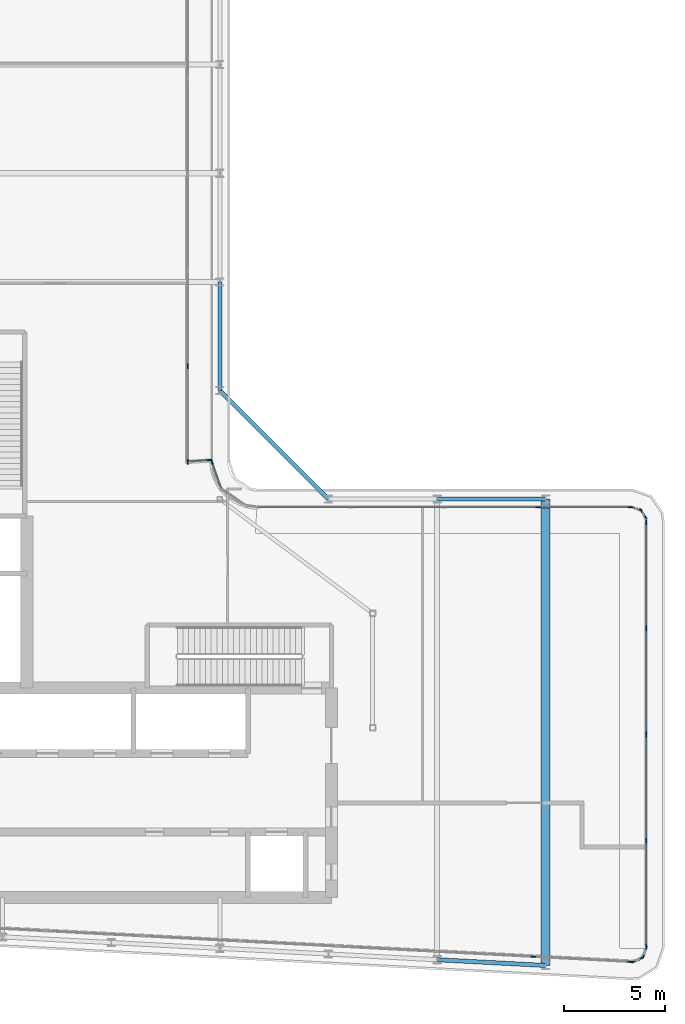
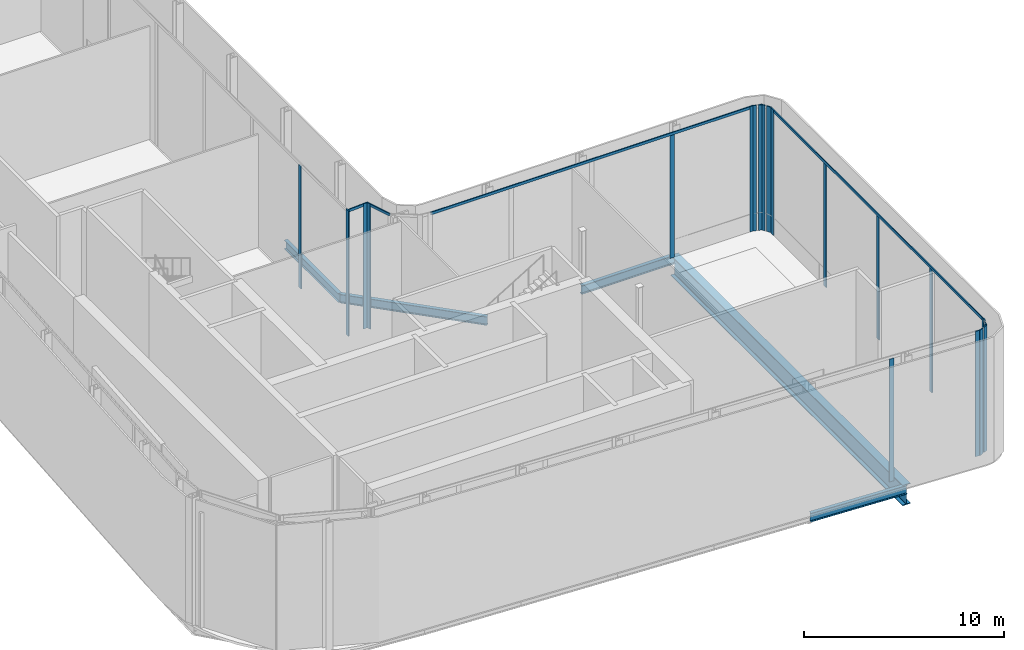
# One storey, part 8 of 28: 25 members, 5 beams, 10 elements without a shape of their own.
"""IFC4 building model written with IfcOpenShell, lengths in metres."""

from ifc_helpers import new_model, si_unit, direction, frame, origin, origin_2d, place, context, subcontext, project, spatial, rectangle, i_section, extrude, material, layer, layer_set, material_profile, profile_set, type_object, element, aggregate, save


model = new_model("IFC4")

# Units and contexts
model_context = context("Model", 3, precision=1e-05, world=origin(), true_north=direction((0.0, 1.0)))
body_context = subcontext(model_context, "Body", "Model", "MODEL_VIEW")
ifc_project = project(units=[si_unit("LENGTHUNIT", "METRE"), si_unit("AREAUNIT", "SQUARE_METRE"), si_unit("VOLUMEUNIT", "CUBIC_METRE"), si_unit("PLANEANGLEUNIT", "RADIAN"), si_unit("MASSUNIT", "GRAM", prefix="KILO")], contexts=[model_context])

# Site, building, storey
site_placement = place(None, origin())
site = spatial("IfcSite", under=ifc_project, at=site_placement, CompositionType="ELEMENT")
building_placement = place(site_placement, origin())
building = spatial("IfcBuilding", under=site, at=building_placement, Name="Kheshtan School and Residences Tower", CompositionType="ELEMENT")
storey_placement = place(building_placement, frame((0.0, 0.0, 325.39990234375)))
storey = spatial("IfcBuildingStorey", under=building, at=storey_placement, Name="L77", CompositionType="ELEMENT", Elevation=325.39990234375)

# Beams
ifc_material_1 = material(Name="Steel ASTM A992 Grade 50", Category="steel")
ifc_material_profile_1 = material_profile(ifc_material_1, i_section(OverallWidth=0.208984375, OverallDepth=0.532958984375, WebThickness=0.01025390625, FlangeThickness=0.015625, FilletRadius=0.013916015625, at=origin_2d()), Name="W530x92")
ifc_profile_set_1 = profile_set([ifc_material_profile_1], Name="Steel ASTM A992 Grade 50")
beam_type_1 = type_object("IfcBeamType", Name="Beam SP3 W530x92 ASTM A992 Grade 50", PredefinedType="BEAM", material=ifc_profile_set_1)
beam_1_placement = place(storey_placement, frame((47.60009765625, 56.39990234375, -0.41650390625), z_axis=(0.0, -1.0, 0.0), x_axis=(1.0, 0.0, 0.0)))
element("IfcBeam", 1, at=beam_1_placement, inside=storey, type_object=beam_type_1, Name="Spandrel beam C081-C079", PredefinedType="BEAM", context=body_context, shape_type="SweptSolid", body=[
    extrude(i_section(OverallWidth=0.208984375, OverallDepth=0.532958984375, WebThickness=0.01025390625, FlangeThickness=0.015625, FilletRadius=0.013916015625, at=origin_2d()), origin(), (0.0, 0.0, 1.0), 5.39990234375),
])
beam_2_placement = place(storey_placement, frame((47.60009765625, 51.0, -0.41650390625), z_axis=(0.707106781187, -0.707106781187, 0.0), x_axis=(0.707106781187, 0.707106781187, 0.0)))
element("IfcBeam", 2, at=beam_2_placement, inside=storey, type_object=beam_type_1, Name="Spandrel beam C079-C061", PredefinedType="BEAM", context=body_context, shape_type="SweptSolid", body=[
    extrude(i_section(OverallWidth=0.208984375, OverallDepth=0.532958984375, WebThickness=0.01025390625, FlangeThickness=0.015625, FilletRadius=0.013916015625, at=origin_2d()), origin(), (0.0, 0.0, 1.0), 7.63671875),
])
beam_3_placement = place(storey_placement, frame((58.39990234375, 45.60009765625, -0.41650390625), z_axis=(1.0, 0.0, 0.0), x_axis=(0.0, 1.0, 0.0)))
element("IfcBeam", 3, at=beam_3_placement, inside=storey, type_object=beam_type_1, Name="Spandrel beam C062-C063", PredefinedType="BEAM", context=body_context, shape_type="SweptSolid", body=[
    extrude(i_section(OverallWidth=0.208984375, OverallDepth=0.532958984375, WebThickness=0.01025390625, FlangeThickness=0.015625, FilletRadius=0.013916015625, at=origin_2d()), origin(), (0.0, 0.0, 1.0), 5.400146484375),
])
beam_4_placement = place(storey_placement, frame((63.800048828125, 22.410888671875, -0.41650390625), z_axis=(-0.998618203458, 0.052551724256, 0.0), x_axis=(-0.052551724256, -0.998618203458, 0.0)))
element("IfcBeam", 4, at=beam_4_placement, inside=storey, type_object=beam_type_1, Name="Spandrel beam C016-C018", PredefinedType="BEAM", context=body_context, shape_type="SweptSolid", body=[
    extrude(i_section(OverallWidth=0.208984375, OverallDepth=0.532958984375, WebThickness=0.01025390625, FlangeThickness=0.015625, FilletRadius=0.013916015625, at=origin_2d()), origin(), (0.0, 0.0, 1.0), 5.40771484375),
])

# Curtain wall, members
ifc_material_2 = material(Name="Clear low-e glass in thermally broken aluminium frame", Category="aluminium")
ifc_layer_1 = layer(ifc_material_2, 0.25)
ifc_layer_set_1 = layer_set([ifc_layer_1], Name="Curtain wall CW-G")
curtain_wall_type_1 = type_object("IfcCurtainWallType", Name="Curtain wall CW-G", PredefinedType="NOTDEFINED", material=ifc_layer_set_1)
curtain_wall_1_placement = place(storey_placement, origin())
curtain_wall_1 = element("IfcCurtainWall", 5, at=curtain_wall_1_placement, inside=storey, type_object=curtain_wall_type_1, Name="Curtain wall CWG15a", PredefinedType="NOTDEFINED")
ifc_material_3 = material(Name="Thermally broken aluminium, dark bronze anodised", Category="aluminium")
ifc_material_profile_2 = material_profile(ifc_material_3, rectangle(XDim=0.06005859375, YDim=0.25, at=origin_2d()), Name="CW-G mullion 60x250")
ifc_profile_set_2 = profile_set([ifc_material_profile_2], Name="Thermally broken aluminium, dark bronze anodised")
member_type_1 = type_object("IfcMemberType", Name="CW-G mullion 60x250", PredefinedType="MULLION", material=ifc_profile_set_2)
member_1_placement = place(storey_placement, frame((46.0, 52.2041015625, 0.0), z_axis=(0.0, 0.0, 1.0), x_axis=(1.0, 0.0, 0.0)))
member_1 = element("IfcMember", 6, at=member_1_placement, type_object=member_type_1, Name="CWG15a mullion 5", PredefinedType="MULLION", context=body_context, shape_type="SweptSolid", body=[
    extrude(rectangle(XDim=0.06005859375, YDim=0.25, at=origin_2d()), origin(), (0.0, 0.0, 1.0), 7.489990234375),
])
member_2_placement = place(storey_placement, frame((46.0, 47.4599609375, 0.0), z_axis=(0.0, 0.0, 1.0), x_axis=(1.0, 0.0, 0.0)))
member_2 = element("IfcMember", 7, at=member_2_placement, type_object=member_type_1, Name="CWG15a mullion 6", PredefinedType="MULLION", context=body_context, shape_type="SweptSolid", body=[
    extrude(rectangle(XDim=0.06005859375, YDim=0.25, at=origin_2d()), origin(), (0.0, 0.0, 1.0), 7.650146484375),
])
aggregate(curtain_wall_1, [member_1, member_2])

ifc_layer_2 = layer(ifc_material_2, 0.25)
ifc_layer_set_2 = layer_set([ifc_layer_2], Name="Curtain wall CW-K")
curtain_wall_type_2 = type_object("IfcCurtainWallType", Name="Curtain wall CW-K", PredefinedType="NOTDEFINED", material=ifc_layer_set_2)
curtain_wall_2_placement = place(storey_placement, origin())
curtain_wall_2 = element("IfcCurtainWall", 8, at=curtain_wall_2_placement, inside=storey, type_object=curtain_wall_type_2, Name="Curtain wall CWK1b", PredefinedType="NOTDEFINED")
ifc_material_profile_3 = material_profile(ifc_material_3, rectangle(XDim=0.06005859375, YDim=0.25, at=origin_2d()), Name="CW-K mullion 60x250")
ifc_profile_set_3 = profile_set([ifc_material_profile_3], Name="Thermally broken aluminium, dark bronze anodised")
member_type_2 = type_object("IfcMemberType", Name="CW-K mullion 60x250", PredefinedType="MULLION", material=ifc_profile_set_3)
member_3_placement = place(storey_placement, frame((68.525390625, 22.74951171875, 0.0), z_axis=(0.0, 0.0, 1.0), x_axis=(0.40869590806, -0.912670616781, 0.0)))
member_3 = element("IfcMember", 9, at=member_3_placement, type_object=member_type_2, Name="CWK1b mullion 1", PredefinedType="MULLION", context=body_context, shape_type="SweptSolid", body=[
    extrude(rectangle(XDim=0.06005859375, YDim=0.25, at=origin_2d()), origin(), (0.0, 0.0, 1.0), 7.650146484375),
])
member_4_placement = place(storey_placement, frame((68.21630859375, 22.611083984375, 0.0), z_axis=(0.0, 0.0, 1.0), x_axis=(0.40869590806, -0.912670616781, 0.0)))
member_4 = element("IfcMember", 10, at=member_4_placement, type_object=member_type_2, Name="CWK1b mullion 2", PredefinedType="MULLION", context=body_context, shape_type="SweptSolid", body=[
    extrude(rectangle(XDim=0.06005859375, YDim=0.25, at=origin_2d()), origin(), (0.0, 0.0, 1.0), 7.650146484375),
])
aggregate(curtain_wall_2, [member_3, member_4])

curtain_wall_3_placement = place(storey_placement, origin())
curtain_wall_3 = element("IfcCurtainWall", 11, at=curtain_wall_3_placement, inside=storey, type_object=curtain_wall_type_2, Name="Curtain wall CWK2b", PredefinedType="NOTDEFINED")
member_5_placement = place(storey_placement, frame((68.002685546875, 22.589599609375, 0.0), z_axis=(0.0, 0.0, 1.0), x_axis=(-0.052588147164, -0.998616286057, 0.0)))
member_5 = element("IfcMember", 12, at=member_5_placement, type_object=member_type_2, Name="CWK2b mullion 1", PredefinedType="MULLION", context=body_context, shape_type="SweptSolid", body=[
    extrude(rectangle(XDim=0.06005859375, YDim=0.25, at=origin_2d()), origin(), (0.0, 0.0, 1.0), 7.650146484375),
])
member_6_placement = place(storey_placement, frame((63.1796875, 22.84375, 0.0), z_axis=(0.0, 0.0, 1.0), x_axis=(-0.052588147164, -0.998616286057, 0.0)))
member_6 = element("IfcMember", 13, at=member_6_placement, type_object=member_type_2, Name="CWK2b mullion 2", PredefinedType="MULLION", context=body_context, shape_type="SweptSolid", body=[
    extrude(rectangle(XDim=0.06005859375, YDim=0.25, at=origin_2d()), origin(), (0.0, 0.0, 1.0), 7.489990234375),
])
aggregate(curtain_wall_3, [member_5, member_6])

# Curtain wall, member
curtain_wall_4_placement = place(storey_placement, origin())
curtain_wall_4 = element("IfcCurtainWall", 14, at=curtain_wall_4_placement, inside=storey, type_object=curtain_wall_type_2, Name="Curtain wall CWK16b", PredefinedType="NOTDEFINED")
member_7_placement = place(storey_placement, frame((47.0654296875, 47.537841796875, 0.0), z_axis=(0.0, 0.0, 1.0), x_axis=(-0.065855059944, 0.997829199352, 0.0)))
member_7 = element("IfcMember", 15, at=member_7_placement, type_object=member_type_2, Name="CWK16b mullion 2", PredefinedType="MULLION", context=body_context, shape_type="SweptSolid", body=[
    extrude(rectangle(XDim=0.06005859375, YDim=0.25, at=origin_2d()), origin(), (0.0, 0.0, 1.0), 7.650146484375),
])

curtain_wall_5_placement = place(storey_placement, origin())
curtain_wall_5 = element("IfcCurtainWall", 16, at=curtain_wall_5_placement, inside=storey, type_object=curtain_wall_type_2, Name="Curtain wall CWK17b", PredefinedType="NOTDEFINED")
member_8_placement = place(storey_placement, frame((47.206298828125, 47.44482421875, 0.0), z_axis=(0.0, 0.0, 1.0), x_axis=(0.943511360053, 0.331340177841, 0.0)))
member_8 = element("IfcMember", 17, at=member_8_placement, type_object=member_type_2, Name="CWK17b mullion 1", PredefinedType="MULLION", context=body_context, shape_type="SweptSolid", body=[
    extrude(rectangle(XDim=0.06005859375, YDim=0.25, at=origin_2d()), origin(), (0.0, 0.0, 1.0), 7.650146484375),
])

# Curtain wall, members
curtain_wall_6_placement = place(storey_placement, origin())
curtain_wall_6 = element("IfcCurtainWall", 18, at=curtain_wall_6_placement, inside=storey, type_object=curtain_wall_type_2, Name="Curtain wall CWK20b", PredefinedType="NOTDEFINED")
member_9_placement = place(storey_placement, frame((63.419677734375, 45.199951171875, 0.0), z_axis=(0.0, 0.0, 1.0), x_axis=(0.0, 1.0, 0.0)))
member_9 = element("IfcMember", 19, at=member_9_placement, type_object=member_type_2, Name="CWK20b mullion 4", PredefinedType="MULLION", context=body_context, shape_type="SweptSolid", body=[
    extrude(rectangle(XDim=0.06005859375, YDim=0.25, at=origin_2d()), origin(), (0.0, 0.0, 1.0), 7.489990234375),
])
member_10_placement = place(storey_placement, frame((68.0400390625, 45.199951171875, 0.0), z_axis=(0.0, 0.0, 1.0), x_axis=(0.0, 1.0, 0.0)))
member_10 = element("IfcMember", 20, at=member_10_placement, type_object=member_type_2, Name="CWK20b mullion 5", PredefinedType="MULLION", context=body_context, shape_type="SweptSolid", body=[
    extrude(rectangle(XDim=0.06005859375, YDim=0.25, at=origin_2d()), origin(), (0.0, 0.0, 1.0), 7.650146484375),
])

curtain_wall_7_placement = place(storey_placement, origin())
curtain_wall_7 = element("IfcCurtainWall", 21, at=curtain_wall_7_placement, inside=storey, type_object=curtain_wall_type_2, Name="Curtain wall CWK21b", PredefinedType="NOTDEFINED")
member_11_placement = place(storey_placement, frame((68.12890625, 45.18603515625, 0.0), z_axis=(0.0, 0.0, 1.0), x_axis=(0.303900450271, 0.952703792543, 0.0)))
member_11 = element("IfcMember", 22, at=member_11_placement, type_object=member_type_2, Name="CWK21b mullion 1", PredefinedType="MULLION", context=body_context, shape_type="SweptSolid", body=[
    extrude(rectangle(XDim=0.06005859375, YDim=0.25, at=origin_2d()), origin(), (0.0, 0.0, 1.0), 7.650146484375),
])
member_12_placement = place(storey_placement, frame((68.466796875, 45.078369140625, 0.0), z_axis=(0.0, 0.0, 1.0), x_axis=(0.303900450271, 0.952703792543, 0.0)))
member_12 = element("IfcMember", 23, at=member_12_placement, type_object=member_type_2, Name="CWK21b mullion 2", PredefinedType="MULLION", context=body_context, shape_type="SweptSolid", body=[
    extrude(rectangle(XDim=0.06005859375, YDim=0.25, at=origin_2d()), origin(), (0.0, 0.0, 1.0), 7.650146484375),
])
aggregate(curtain_wall_7, [member_11, member_12])

curtain_wall_8_placement = place(storey_placement, origin())
curtain_wall_8 = element("IfcCurtainWall", 24, at=curtain_wall_8_placement, inside=storey, type_object=curtain_wall_type_2, Name="Curtain wall CWK22b", PredefinedType="NOTDEFINED")
member_13_placement = place(storey_placement, frame((68.56494140625, 45.004638671875, 0.0), z_axis=(0.0, 0.0, 1.0), x_axis=(0.831648992198, 0.555301678168, 0.0)))
member_13 = element("IfcMember", 25, at=member_13_placement, type_object=member_type_2, Name="CWK22b mullion 1", PredefinedType="MULLION", context=body_context, shape_type="SweptSolid", body=[
    extrude(rectangle(XDim=0.06005859375, YDim=0.25, at=origin_2d()), origin(), (0.0, 0.0, 1.0), 7.650146484375),
])
member_14_placement = place(storey_placement, frame((68.744384765625, 44.735595703125, 0.0), z_axis=(0.0, 0.0, 1.0), x_axis=(0.831648992198, 0.555301678168, 0.0)))
member_14 = element("IfcMember", 26, at=member_14_placement, type_object=member_type_2, Name="CWK22b mullion 2", PredefinedType="MULLION", context=body_context, shape_type="SweptSolid", body=[
    extrude(rectangle(XDim=0.06005859375, YDim=0.25, at=origin_2d()), origin(), (0.0, 0.0, 1.0), 7.650146484375),
])
aggregate(curtain_wall_8, [member_13, member_14])

curtain_wall_9_placement = place(storey_placement, origin())
curtain_wall_9 = element("IfcCurtainWall", 27, at=curtain_wall_9_placement, inside=storey, type_object=curtain_wall_type_2, Name="Curtain wall CWK23b", PredefinedType="NOTDEFINED")
member_15_placement = place(storey_placement, frame((68.800048828125, 44.43994140625, 0.0), z_axis=(0.0, 0.0, 1.0), x_axis=(1.0, 0.0, 0.0)))
member_15 = element("IfcMember", 28, at=member_15_placement, type_object=member_type_2, Name="CWK23b mullion 1", PredefinedType="MULLION", context=body_context, shape_type="SweptSolid", body=[
    extrude(rectangle(XDim=0.06005859375, YDim=0.25, at=origin_2d()), origin(), (0.0, 0.0, 1.0), 7.650146484375),
])
member_16_placement = place(storey_placement, frame((68.800048828125, 39.181640625, 0.0), z_axis=(0.0, 0.0, 1.0), x_axis=(1.0, 0.0, 0.0)))
member_16 = element("IfcMember", 29, at=member_16_placement, type_object=member_type_2, Name="CWK23b mullion 2", PredefinedType="MULLION", context=body_context, shape_type="SweptSolid", body=[
    extrude(rectangle(XDim=0.06005859375, YDim=0.25, at=origin_2d()), origin(), (0.0, 0.0, 1.0), 7.489990234375),
])
member_17_placement = place(storey_placement, frame((68.800048828125, 33.8935546875, 0.0), z_axis=(0.0, 0.0, 1.0), x_axis=(1.0, 0.0, 0.0)))
member_17 = element("IfcMember", 30, at=member_17_placement, type_object=member_type_2, Name="CWK23b mullion 3", PredefinedType="MULLION", context=body_context, shape_type="SweptSolid", body=[
    extrude(rectangle(XDim=0.06005859375, YDim=0.25, at=origin_2d()), origin(), (0.0, 0.0, 1.0), 7.489990234375),
])
member_18_placement = place(storey_placement, frame((68.800048828125, 28.605224609375, 0.0), z_axis=(0.0, 0.0, 1.0), x_axis=(1.0, 0.0, 0.0)))
member_18 = element("IfcMember", 31, at=member_18_placement, type_object=member_type_2, Name="CWK23b mullion 4", PredefinedType="MULLION", context=body_context, shape_type="SweptSolid", body=[
    extrude(rectangle(XDim=0.06005859375, YDim=0.25, at=origin_2d()), origin(), (0.0, 0.0, 1.0), 7.489990234375),
])
member_19_placement = place(storey_placement, frame((68.800048828125, 23.346923828125, 0.0), z_axis=(0.0, 0.0, 1.0), x_axis=(1.0, 0.0, 0.0)))
member_19 = element("IfcMember", 32, at=member_19_placement, type_object=member_type_2, Name="CWK23b mullion 5", PredefinedType="MULLION", context=body_context, shape_type="SweptSolid", body=[
    extrude(rectangle(XDim=0.06005859375, YDim=0.25, at=origin_2d()), origin(), (0.0, 0.0, 1.0), 7.650146484375),
])

curtain_wall_10_placement = place(storey_placement, origin())
curtain_wall_10 = element("IfcCurtainWall", 33, at=curtain_wall_10_placement, inside=storey, type_object=curtain_wall_type_2, Name="Curtain wall CWK24b", PredefinedType="NOTDEFINED")
member_20_placement = place(storey_placement, frame((68.785888671875, 23.257568359375, 0.0), z_axis=(0.0, 0.0, 1.0), x_axis=(0.950774956135, -0.309882207921, 0.0)))
member_20 = element("IfcMember", 34, at=member_20_placement, type_object=member_type_2, Name="CWK24b mullion 1", PredefinedType="MULLION", context=body_context, shape_type="SweptSolid", body=[
    extrude(rectangle(XDim=0.06005859375, YDim=0.25, at=origin_2d()), origin(), (0.0, 0.0, 1.0), 7.650146484375),
])
member_21_placement = place(storey_placement, frame((68.67236328125, 22.909423828125, 0.0), z_axis=(0.0, 0.0, 1.0), x_axis=(0.950774956135, -0.309882207921, 0.0)))
member_21 = element("IfcMember", 35, at=member_21_placement, type_object=member_type_2, Name="CWK24b mullion 2", PredefinedType="MULLION", context=body_context, shape_type="SweptSolid", body=[
    extrude(rectangle(XDim=0.06005859375, YDim=0.25, at=origin_2d()), origin(), (0.0, 0.0, 1.0), 7.650146484375),
])
aggregate(curtain_wall_10, [member_20, member_21])

# Member
ifc_material_profile_4 = material_profile(ifc_material_3, rectangle(XDim=0.06005859375, YDim=0.159912109375, at=origin_2d()), Name="CW-K transom 60x160")
ifc_profile_set_4 = profile_set([ifc_material_profile_4], Name="Thermally broken aluminium, dark bronze anodised")
member_type_3 = type_object("IfcMemberType", Name="CW-K transom 60x160", PredefinedType="USERDEFINED", material=ifc_profile_set_4)
member_22_placement = place(storey_placement, frame((46.029541015625, 47.469482421875, 7.570068359375), z_axis=(0.997828867029, 0.065860095082, 0.0), x_axis=(-0.065860095082, 0.997828867029, 0.0)))
member_22 = element("IfcMember", 36, at=member_22_placement, type_object=member_type_3, Name="CWK16b transom 1", ObjectType="TRANSOM", PredefinedType="USERDEFINED", context=body_context, shape_type="SweptSolid", body=[
    extrude(rectangle(XDim=0.06005859375, YDim=0.159912109375, at=origin_2d()), origin(), (0.0, 0.0, 1.0), 1.00830078125),
])

aggregate(curtain_wall_4, [member_7, member_22])

member_23_placement = place(storey_placement, frame((47.21630859375, 47.41650390625, 7.570068359375), z_axis=(0.33126652768, -0.94353722112, 0.0), x_axis=(0.94353722112, 0.33126652768, 0.0)))
member_23 = element("IfcMember", 37, at=member_23_placement, type_object=member_type_3, Name="CWK17b transom 1", ObjectType="TRANSOM", PredefinedType="USERDEFINED", context=body_context, shape_type="SweptSolid", body=[
    extrude(rectangle(XDim=0.06005859375, YDim=0.159912109375, at=origin_2d()), origin(), (0.0, 0.0, 1.0), 1.364990234375),
])

aggregate(curtain_wall_5, [member_8, member_23])

member_24_placement = place(storey_placement, frame((49.482666015625, 45.199951171875, 7.570068359375), z_axis=(1.0, 0.0, 0.0), x_axis=(0.0, 1.0, 0.0)))
member_24 = element("IfcMember", 38, at=member_24_placement, type_object=member_type_3, Name="CWK20b transom 1", ObjectType="TRANSOM", PredefinedType="USERDEFINED", context=body_context, shape_type="SweptSolid", body=[
    extrude(rectangle(XDim=0.06005859375, YDim=0.159912109375, at=origin_2d()), origin(), (0.0, 0.0, 1.0), 18.52734375),
])

aggregate(curtain_wall_6, [member_9, member_10, member_24])

member_25_placement = place(storey_placement, frame((68.800048828125, 44.409912109375, 7.570068359375), z_axis=(0.0, -1.0, 0.0), x_axis=(1.0, 0.0, 0.0)))
member_25 = element("IfcMember", 39, at=member_25_placement, type_object=member_type_3, Name="CWK23b transom 1", ObjectType="TRANSOM", PredefinedType="USERDEFINED", context=body_context, shape_type="SweptSolid", body=[
    extrude(rectangle(XDim=0.06005859375, YDim=0.159912109375, at=origin_2d()), origin(), (0.0, 0.0, 1.0), 21.032958984375),
])

aggregate(curtain_wall_9, [member_15, member_16, member_17, member_18, member_19, member_25])

# Beam
ifc_material_profile_5 = material_profile(ifc_material_1, i_section(OverallWidth=0.449951171875, OverallDepth=1.25, WebThickness=0.02490234375, FlangeThickness=0.044921875, FilletRadius=0.03759765625, at=origin_2d()), Name="WWF1250x546")
ifc_profile_set_5 = profile_set([ifc_material_profile_5], Name="Steel ASTM A992 Grade 50")
beam_type_2 = type_object("IfcBeamType", Name="Transfer girder TG4 WWF1250x546 ASTM A992 Grade 50", PredefinedType="BEAM", material=ifc_profile_set_5)
beam_5_placement = place(storey_placement, frame((63.800048828125, 45.60009765625, -0.77490234375), z_axis=(0.0, -1.0, 0.0), x_axis=(1.0, 0.0, 0.0)))
element("IfcBeam", 40, at=beam_5_placement, inside=storey, type_object=beam_type_2, Name="Transfer girder C063-C016", PredefinedType="BEAM", context=body_context, shape_type="SweptSolid", body=[
    extrude(i_section(OverallWidth=0.449951171875, OverallDepth=1.25, WebThickness=0.02490234375, FlangeThickness=0.044921875, FilletRadius=0.03759765625, at=origin_2d()), origin(), (0.0, 0.0, 1.0), 23.189208984375),
])

save(model, "model.ifc")
